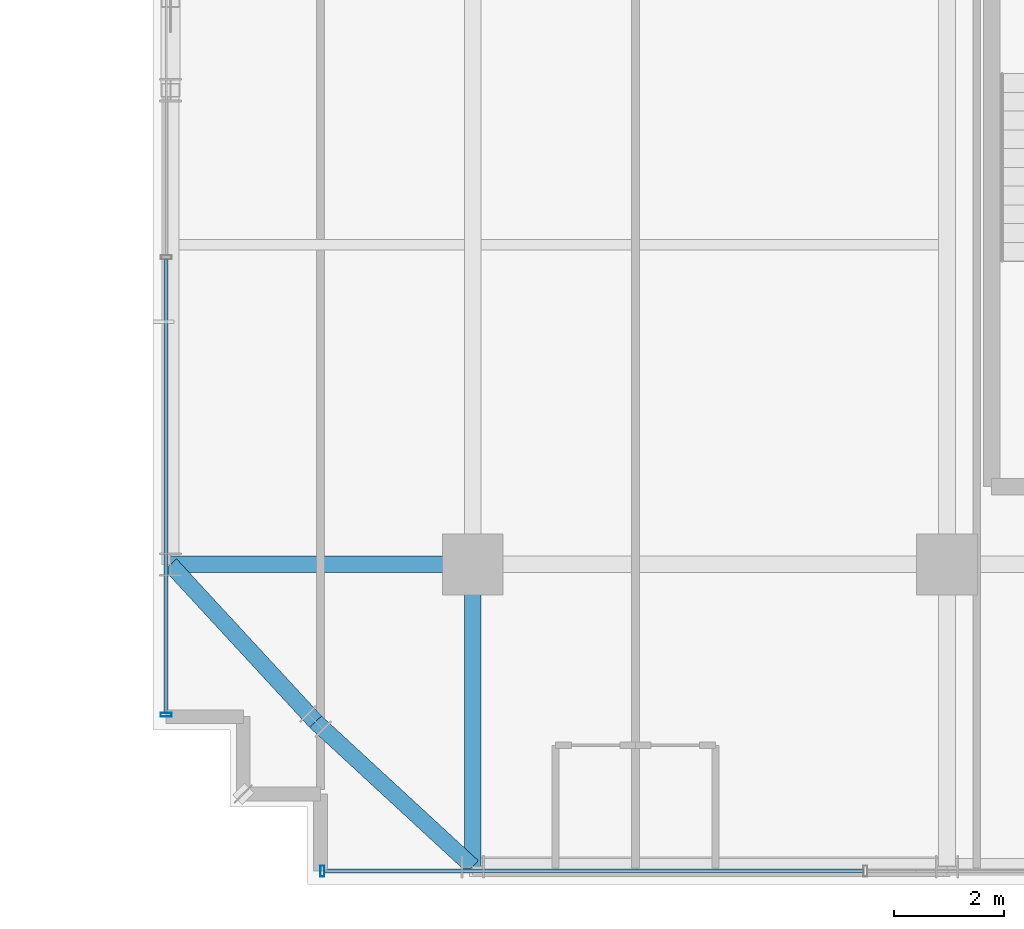
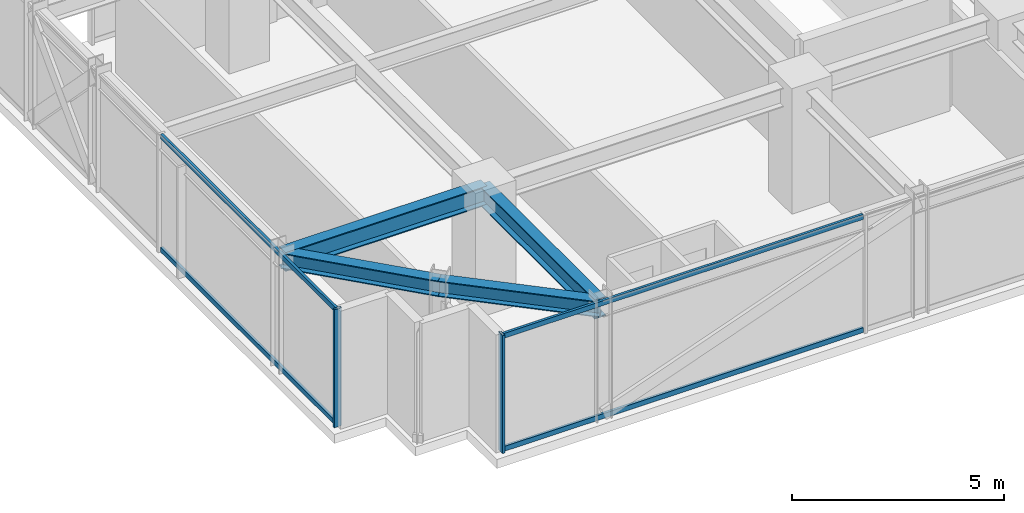
# One storey, part 2 of 43: 6 members, 4 beams, 2 elements without a shape of their own.
"""IFC4 building model written with IfcOpenShell, lengths in metres."""

from ifc_helpers import new_model, si_unit, direction, frame, origin, origin_2d, place, context, subcontext, project, spatial, hollow_rectangle, i_section, extrude, source, transform, mapped, material, material_profile, profile_set, type_object, element, aggregate, save


model = new_model("IFC4")

# Units and contexts
model_context = context("Model", 3, precision=1e-05, world=origin(), true_north=direction((0.0, 1.0)))
body_context = subcontext(model_context, "Body", "Model", "MODEL_VIEW")
ifc_project = project(units=[si_unit("LENGTHUNIT", "METRE"), si_unit("AREAUNIT", "SQUARE_METRE"), si_unit("VOLUMEUNIT", "CUBIC_METRE"), si_unit("PLANEANGLEUNIT", "RADIAN"), si_unit("MASSUNIT", "GRAM", prefix="KILO")], contexts=[model_context])

# Site, building, storey
site_placement = place(None, origin())
site = spatial("IfcSite", under=ifc_project, at=site_placement, CompositionType="ELEMENT")
building_placement = place(site_placement, origin())
building = spatial("IfcBuilding", under=site, at=building_placement, Name="Nahalor Promenade Grand Hotel", CompositionType="ELEMENT")
storey_placement = place(building_placement, frame((0.0, 0.0, 181.85009765625)))
storey = spatial("IfcBuildingStorey", under=building, at=storey_placement, Name="L46", CompositionType="ELEMENT", Elevation=181.85009765625)

# Beams
ifc_material_1 = material(Name="Steel S355JR", Category="steel")
ifc_material_profile_1 = material_profile(ifc_material_1, i_section(OverallWidth=0.3, OverallDepth=0.55, WebThickness=0.015, FlangeThickness=0.029, at=origin_2d()), Name="HEB 550")
ifc_profile_set_1 = profile_set([ifc_material_profile_1], Name="Steel S355JR")
beam_type_1 = type_object("IfcBeamType", Name="Beam-Girder-HEB550", PredefinedType="BEAM", material=ifc_profile_set_1)
shared_shape_1 = source(origin(), body_context, "Body", "SweptSolid", [
    extrude(i_section(OverallWidth=0.3, OverallDepth=0.55, WebThickness=0.015, FlangeThickness=0.029, at=origin_2d()), origin(), (0.0, 0.0, 1.0), 5.47998046875),
])
for number, where, z_axis, x_axis, name in (
    (1, (-22.47998046875, -17.0, 3.114990234375), (1.0, 0.0, 0.0), (0.0, 1.0, 0.0), "BM-L46-GX-0-0"),
    (2, (-17.0, -22.47998046875, 3.114990234375), (0.0, 1.0, 0.0), (-1.0, 0.0, 0.0), "BM-L46-GY-0-0"),
):
    element("IfcBeam", number, at=place(storey_placement, frame(where, z_axis=z_axis, x_axis=x_axis)), inside=storey, type_object=beam_type_1, Name=name, PredefinedType="BEAM", context=body_context, shape_type="MappedRepresentation", body=[
        mapped(shared_shape_1, transform((0.0, 0.0, 0.0), scale=1.0)),
    ])
ifc_material_profile_2 = material_profile(ifc_material_1, i_section(OverallWidth=0.3, OverallDepth=0.45, WebThickness=0.014, FlangeThickness=0.026, at=origin_2d()), Name="HEB 450")
ifc_profile_set_2 = profile_set([ifc_material_profile_2], Name="Steel S355JR")
beam_type_2 = type_object("IfcBeamType", Name="Beam-Spandrel-HEB450", PredefinedType="SPANDREL", material=ifc_profile_set_2)
shared_shape_2 = source(origin(), body_context, "Body", "SweptSolid", [
    extrude(i_section(OverallWidth=0.3, OverallDepth=0.45, WebThickness=0.014, FlangeThickness=0.026, at=origin_2d()), origin(), (0.0, 0.0, 1.0), 3.878173828125),
])
for number, where, z_axis, x_axis, name in (
    (3, (-17.0, -22.47998046875, 3.164794921875), (-0.73492893846, 0.678144125843, 0.0), (-0.678144125843, -0.73492893846, 0.0), "BM-L46-SPC-SW-1"),
    (4, (-19.85009765625, -19.85009765625, 3.164794921875), (-0.678144125843, 0.73492893846, 0.0), (-0.73492893846, -0.678144125843, 0.0), "BM-L46-SPC-SW-2"),
):
    element("IfcBeam", number, at=place(storey_placement, frame(where, z_axis=z_axis, x_axis=x_axis)), inside=storey, type_object=beam_type_2, Name=name, PredefinedType="SPANDREL", context=body_context, shape_type="MappedRepresentation", body=[
        mapped(shared_shape_2, transform((0.0, 0.0, 0.0), scale=1.0)),
    ])

# Curtain wall, members
ifc_material_2 = material(Name="Anodised Bronze Aluminium EN AW-6063 T6", Category="aluminium")
curtain_wall_type = type_object("IfcCurtainWallType", Name="CW3 Elliptical-Void Collar Unitised Curtain Wall", PredefinedType="USERDEFINED", material=ifc_material_2)
curtain_wall_1_placement = place(storey_placement, origin())
curtain_wall_1 = element("IfcCurtainWall", 5, at=curtain_wall_1_placement, inside=storey, type_object=curtain_wall_type, Name="L46 Curtain Wall CW-L46-S-1", ObjectType="UNITISED_CURTAIN_WALL", PredefinedType="USERDEFINED")
ifc_material_profile_3 = material_profile(ifc_material_2, hollow_rectangle(XDim=0.07, YDim=0.14, WallThickness=0.004, at=origin_2d()), Name="CWT 70x140x4")
ifc_profile_set_3 = profile_set([ifc_material_profile_3], Name="Anodised Bronze Aluminium EN AW-6063 T6")
member_type_1 = type_object("IfcMemberType", Name="CWT3 Void Collar Transom 70x140", PredefinedType="USERDEFINED", material=ifc_profile_set_3)
shared_shape_3 = source(origin(), body_context, "Body", "SweptSolid", [
    extrude(hollow_rectangle(XDim=0.07, YDim=0.14, WallThickness=0.004, at=origin_2d()), origin(), (0.0, 0.0, 1.0), 9.77490234375),
])
member_1_placement = place(storey_placement, frame((-19.68994140625, -22.56005859375, 0.06982421875), z_axis=(1.0, 0.0, 0.0), x_axis=(0.0, 1.0, 0.0)))
member_1 = element("IfcMember", 6, at=member_1_placement, type_object=member_type_1, Name="CW-L46-S-1 Transom 0-0", ObjectType="TRANSOM", PredefinedType="USERDEFINED", context=body_context, shape_type="MappedRepresentation", body=[
    mapped(shared_shape_3, transform((0.0, 0.0, 0.0), scale=1.0)),
])
member_2_placement = place(storey_placement, frame((-19.68994140625, -22.56005859375, 3.31982421875), z_axis=(1.0, 0.0, 0.0), x_axis=(0.0, 1.0, 0.0)))
member_2 = element("IfcMember", 7, at=member_2_placement, type_object=member_type_1, Name="CW-L46-S-1 Transom 0-1", ObjectType="TRANSOM", PredefinedType="USERDEFINED", context=body_context, shape_type="MappedRepresentation", body=[
    mapped(shared_shape_3, transform((0.0, 0.0, 0.0), scale=1.0)),
])
ifc_material_profile_4 = material_profile(ifc_material_2, hollow_rectangle(XDim=0.07, YDim=0.2, WallThickness=0.005, at=origin_2d()), Name="CWM 70x200x5")
ifc_profile_set_4 = profile_set([ifc_material_profile_4], Name="Anodised Bronze Aluminium EN AW-6063 T6")
member_type_2 = type_object("IfcMemberType", Name="CWM3 Void Collar Mullion 70x200", PredefinedType="MULLION", material=ifc_profile_set_4)
shared_shape_4 = source(origin(), body_context, "Body", "SweptSolid", [
    extrude(hollow_rectangle(XDim=0.07, YDim=0.2, WallThickness=0.005, at=origin_2d()), origin(), (0.0, 0.0, 1.0), 3.389892578125),
])
member_3_placement = place(storey_placement, frame((-19.72509765625, -22.56005859375, 0.0), z_axis=(0.0, 0.0, 1.0), x_axis=(1.0, 0.0, 0.0)))
member_3 = element("IfcMember", 8, at=member_3_placement, type_object=member_type_2, Name="CW-L46-S-1 Mullion 0", PredefinedType="MULLION", context=body_context, shape_type="MappedRepresentation", body=[
    mapped(shared_shape_4, transform((0.0, 0.0, 0.0), scale=1.0)),
])
aggregate(curtain_wall_1, [member_3, member_1, member_2])

curtain_wall_2_placement = place(storey_placement, origin())
curtain_wall_2 = element("IfcCurtainWall", 9, at=curtain_wall_2_placement, inside=storey, type_object=curtain_wall_type, Name="L46 Curtain Wall CW-L46-W-1", ObjectType="UNITISED_CURTAIN_WALL", PredefinedType="USERDEFINED")
member_4_placement = place(storey_placement, frame((-22.56005859375, -19.72509765625, 0.0), z_axis=(0.0, 0.0, 1.0), x_axis=(0.0, 1.0, 0.0)))
member_4 = element("IfcMember", 10, at=member_4_placement, type_object=member_type_2, Name="CW-L46-W-1 Mullion 0", PredefinedType="MULLION", context=body_context, shape_type="MappedRepresentation", body=[
    mapped(shared_shape_4, transform((0.0, 0.0, 0.0), scale=1.0)),
])
shared_shape_5 = source(origin(), body_context, "Body", "SweptSolid", [
    extrude(hollow_rectangle(XDim=0.07, YDim=0.14, WallThickness=0.004, at=origin_2d()), origin(), (0.0, 0.0, 1.0), 8.224853515625),
])
member_5_placement = place(storey_placement, frame((-22.56005859375, -19.68994140625, 0.06982421875), z_axis=(0.0, 1.0, 0.0), x_axis=(-1.0, 0.0, 0.0)))
member_5 = element("IfcMember", 11, at=member_5_placement, type_object=member_type_1, Name="CW-L46-W-1 Transom 0-0", ObjectType="TRANSOM", PredefinedType="USERDEFINED", context=body_context, shape_type="MappedRepresentation", body=[
    mapped(shared_shape_5, transform((0.0, 0.0, 0.0), scale=1.0)),
])
member_6_placement = place(storey_placement, frame((-22.56005859375, -19.68994140625, 3.31982421875), z_axis=(0.0, 1.0, 0.0), x_axis=(-1.0, 0.0, 0.0)))
member_6 = element("IfcMember", 12, at=member_6_placement, type_object=member_type_1, Name="CW-L46-W-1 Transom 0-1", ObjectType="TRANSOM", PredefinedType="USERDEFINED", context=body_context, shape_type="MappedRepresentation", body=[
    mapped(shared_shape_5, transform((0.0, 0.0, 0.0), scale=1.0)),
])
aggregate(curtain_wall_2, [member_4, member_5, member_6])

save(model, "model.ifc")
